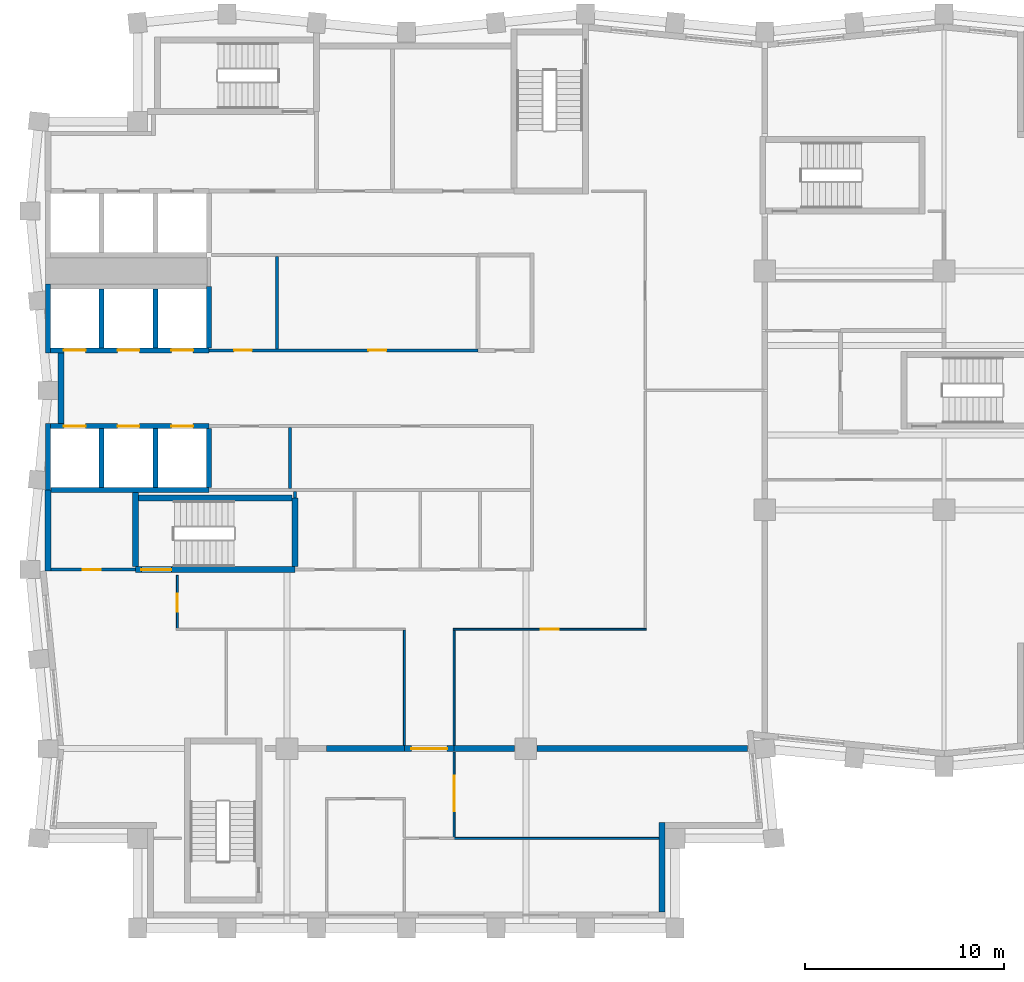
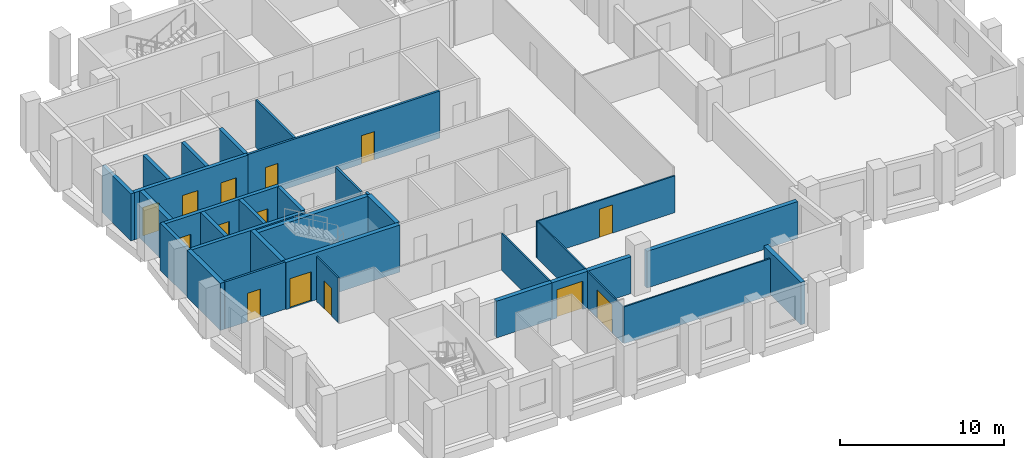
# One storey, part 3 of 8: 33 walls, 14 doors, 14 openings.
"""IFC4 building model written with IfcOpenShell, lengths in metres."""

from ifc_helpers import new_model, si_unit, direction, frame, frame_2d, origin, place, context, subcontext, project, spatial, rectangle, extrude, material, layer, layer_set, type_object, element, fill, save


model = new_model("IFC4")

# Units and contexts
model_context = context("Model", 3, precision=1e-05, world=origin(), true_north=direction((0.0, 1.0)))
body_context = subcontext(model_context, "Body", "Model", "MODEL_VIEW")
ifc_project = project(units=[si_unit("LENGTHUNIT", "METRE"), si_unit("AREAUNIT", "SQUARE_METRE"), si_unit("VOLUMEUNIT", "CUBIC_METRE"), si_unit("PLANEANGLEUNIT", "RADIAN"), si_unit("MASSUNIT", "GRAM", prefix="KILO")], contexts=[model_context])

# Site, building, storey
site_placement = place(None, origin())
site = spatial("IfcSite", under=ifc_project, at=site_placement, CompositionType="ELEMENT")
building_placement = place(site_placement, origin())
building = spatial("IfcBuilding", under=site, at=building_placement, Name="Brondeck Convention Tower", CompositionType="ELEMENT")
storey_placement = place(building_placement, frame((0.0, 0.0, 240.60009765625)))
storey = spatial("IfcBuildingStorey", under=building, at=storey_placement, Name="L59", CompositionType="ELEMENT", Elevation=240.60009765625)

# Wall
ifc_material_1 = material(Name="Concrete compartment wall C30/37", Category="concrete")
ifc_layer_1 = layer(ifc_material_1, 0.300048828125)
ifc_layer_set_1 = layer_set([ifc_layer_1], Name="Compartment wall 300")
wall_type_1 = type_object("IfcWallType", Name="Compartment wall 300", PredefinedType="PARTITIONING", material=ifc_layer_set_1)
wall_1_placement = place(storey_placement, frame((14.0, 27.0, 0.0), z_axis=(0.0, 0.0, 1.0), x_axis=(1.0, 0.0, 0.0)))
element("IfcWall", 1, at=wall_1_placement, inside=storey, type_object=wall_type_1, Name="FLR-L59-W015", PredefinedType="PARTITIONING", context=body_context, shape_type="SweptSolid", body=[
    extrude(rectangle(XDim=3.89990234375, YDim=0.300048828125, at=frame_2d((1.949951171875, 0.0))), origin(), (0.0, 0.0, 1.0), 2.72998046875),
])

# Wall, opening, door
wall_2_placement = place(storey_placement, frame((20.39990234375, 27.0, 0.0), z_axis=(0.0, 0.0, 1.0), x_axis=(-1.0, 0.0, 0.0)))
wall_2 = element("IfcWall", 2, at=wall_2_placement, inside=storey, type_object=wall_type_1, Name="FLR-L59-W016", PredefinedType="PARTITIONING", context=body_context, shape_type="SweptSolid", body=[
    extrude(rectangle(XDim=2.5, YDim=0.300048828125, at=frame_2d((1.25, 0.0))), origin(), (0.0, 0.0, 1.0), 2.72998046875),
])
opening_1_placement = place(wall_2_placement, frame((0.35009765625, 0.0, 0.0)))
opening_1 = element("IfcOpeningElement", 3, at=opening_1_placement, cuts=wall_2, Name="Opening OF-O-012", PredefinedType="OPENING", context=body_context, shape_type="SweptSolid", body=[
    extrude(rectangle(XDim=1.800048828125, YDim=2.10009765625, at=frame_2d((0.89990234375, 1.050048828125))), frame((0.0, 0.159912109375, 0.0), z_axis=(0.0, -1.0, 0.0), x_axis=(1.0, 0.0, 0.0)), (0.0, 0.0, 1.0), 0.320068359375),
])
ifc_material_2 = material(Name="Steel fire door pair", Category="steel")
door_type_1 = type_object("IfcDoorType", Name="Fire door pair 1800", OperationType="DOUBLE_DOOR_SINGLE_SWING", PredefinedType="DOOR", material=ifc_material_2)
door_1_placement = place(opening_1_placement, origin())
door_1 = element("IfcDoor", 4, at=door_1_placement, inside=storey, type_object=door_type_1, Name="Door OF-O-012", OperationType="DOUBLE_DOOR_SINGLE_SWING", OverallHeight=2.10009765625, OverallWidth=1.800048828125, PredefinedType="DOOR", context=body_context, shape_type="SweptSolid", body=[
    extrude(rectangle(XDim=1.800048828125, YDim=2.10009765625, at=frame_2d((0.89990234375, 1.050048828125))), frame((0.0, 0.02490234375, 0.0), z_axis=(0.0, -1.0, 0.0), x_axis=(1.0, 0.0, 0.0)), (0.0, 0.0, 1.0), 0.050048828125),
])
fill(opening_1, door_1)

# Walls
wall_3_placement = place(storey_placement, frame((20.39990234375, 27.0, 0.0), z_axis=(0.0, 0.0, 1.0), x_axis=(1.0, 0.0, 0.0)))
element("IfcWall", 5, at=wall_3_placement, inside=storey, type_object=wall_type_1, Name="FLR-L59-W017", PredefinedType="PARTITIONING", context=body_context, shape_type="SweptSolid", body=[
    extrude(rectangle(XDim=3.045166015625, YDim=0.300048828125, at=frame_2d((1.5224609375, 0.0))), origin(), (0.0, 0.0, 1.0), 2.72998046875),
])
wall_4_placement = place(storey_placement, frame((24.554931640625, 27.0, 0.0), z_axis=(0.0, 0.0, 1.0), x_axis=(1.0, 0.0, 0.0)))
element("IfcWall", 6, at=wall_4_placement, inside=storey, type_object=wall_type_1, Name="FLR-L59-W018", PredefinedType="PARTITIONING", context=body_context, shape_type="SweptSolid", body=[
    extrude(rectangle(XDim=10.591064453125, YDim=0.300048828125, at=frame_2d((5.29541015625, 0.0))), origin(), (0.0, 0.0, 1.0), 2.72998046875),
])
ifc_material_3 = material(Name="Concrete C50/60", Category="concrete")
ifc_layer_2 = layer(ifc_material_3, 0.300048828125)
ifc_layer_set_2 = layer_set([ifc_layer_2], Name="Core outer wall 300 Concrete C50/60")
wall_type_2 = type_object("IfcWallType", Name="Core outer wall 300 Concrete C50/60", PredefinedType="SHEAR", material=ifc_layer_set_2)
wall_5_placement = place(storey_placement, frame((0.0, 35.925048828125, 0.0), z_axis=(0.0, 0.0, 1.0), x_axis=(0.0, 1.0, 0.0)))
element("IfcWall", 7, at=wall_5_placement, inside=storey, type_object=wall_type_2, Name="L59 core wall", PredefinedType="SHEAR", context=body_context, shape_type="SweptSolid", body=[
    extrude(rectangle(XDim=4.074951171875, YDim=0.300048828125, at=frame_2d((2.03759765625, 0.0))), origin(), (0.0, 0.0, 1.0), 3.5),
])
wall_6_placement = place(storey_placement, frame((0.64990234375, 43.324951171875, 0.0), z_axis=(0.0, 0.0, 1.0), x_axis=(0.0, 1.0, 0.0)))
element("IfcWall", 8, at=wall_6_placement, inside=storey, type_object=wall_type_2, Name="L59 core wall", PredefinedType="SHEAR", context=body_context, shape_type="SweptSolid", body=[
    extrude(rectangle(XDim=3.550048828125, YDim=0.300048828125, at=frame_2d((1.77490234375, 0.0))), origin(), (0.0, 0.0, 1.0), 3.5),
])

# Wall, opening, door
ifc_material_4 = material(Name="Fire-rated gypsum board partition")
ifc_layer_3 = layer(ifc_material_4, 0.14990234375)
ifc_layer_set_3 = layer_set([ifc_layer_3], Name="Core partition 150 EI 60")
wall_type_3 = type_object("IfcWallType", Name="Core partition 150 EI 60", PredefinedType="PARTITIONING", material=ifc_layer_set_3)
wall_7_placement = place(storey_placement, frame((0.14990234375, 36.0, 0.0), z_axis=(0.0, 0.0, 1.0), x_axis=(1.0, 0.0, 0.0)))
wall_7 = element("IfcWall", 9, at=wall_7_placement, inside=storey, type_object=wall_type_3, Name="L59 core wall", PredefinedType="PARTITIONING", context=body_context, shape_type="SweptSolid", body=[
    extrude(rectangle(XDim=4.25, YDim=0.14990234375, at=frame_2d((2.125, 0.0))), origin(), (0.0, 0.0, 1.0), 3.5),
])
opening_2_placement = place(wall_7_placement, frame((1.60009765625, 0.0, 0.0)))
opening_2 = element("IfcOpeningElement", 10, at=opening_2_placement, cuts=wall_7, Name="Opening C32-07", PredefinedType="OPENING", context=body_context, shape_type="SweptSolid", body=[
    extrude(rectangle(XDim=0.89990234375, YDim=2.10009765625, at=frame_2d((0.449951171875, 1.050048828125))), frame((0.0, 0.0849609375, 0.0), z_axis=(0.0, -1.0, 0.0), x_axis=(1.0, 0.0, 0.0)), (0.0, 0.0, 1.0), 0.169921875),
])
ifc_material_5 = material(Name="Steel fire door", Category="steel")
door_type_2 = type_object("IfcDoorType", Name="Room door 900x2100 EI 60", OperationType="NOTDEFINED", PredefinedType="DOOR", material=ifc_material_5)
door_2_placement = place(opening_2_placement, origin())
door_2 = element("IfcDoor", 11, at=door_2_placement, inside=storey, type_object=door_type_2, Name="L59 Room door FRW-1", OperationType="SINGLE_SWING_LEFT", OverallHeight=2.10009765625, OverallWidth=0.89990234375, PredefinedType="DOOR", context=body_context, shape_type="SweptSolid", body=[
    extrude(rectangle(XDim=0.89990234375, YDim=2.10009765625, at=frame_2d((0.449951171875, 1.050048828125))), frame((0.0, 0.02490234375, 0.0), z_axis=(0.0, -1.0, 0.0), x_axis=(1.0, 0.0, 0.0)), (0.0, 0.0, 1.0), 0.050048828125),
])
fill(opening_2, door_2)

# Wall, openings, doors
wall_8_placement = place(storey_placement, frame((8.10009765625, 47.0, 0.0), z_axis=(0.0, 0.0, 1.0), x_axis=(1.0, 0.0, 0.0)))
wall_8 = element("IfcWall", 12, at=wall_8_placement, inside=storey, type_object=wall_type_3, Name="L59 core wall", PredefinedType="PARTITIONING", context=body_context, shape_type="SweptSolid", body=[
    extrude(rectangle(XDim=13.5, YDim=0.14990234375, at=frame_2d((6.75, 0.0))), origin(), (0.0, 0.0, 1.0), 3.5),
])
opening_3_placement = place(wall_8_placement, frame((1.25, 0.0, 0.0)))
opening_3 = element("IfcOpeningElement", 13, at=opening_3_placement, cuts=wall_8, Name="Opening C32-08", PredefinedType="OPENING", context=body_context, shape_type="SweptSolid", body=[
    extrude(rectangle(XDim=0.89990234375, YDim=2.10009765625, at=frame_2d((0.449951171875, 1.050048828125))), frame((0.0, 0.0849609375, 0.0), z_axis=(0.0, -1.0, 0.0), x_axis=(1.0, 0.0, 0.0)), (0.0, 0.0, 1.0), 0.169921875),
])
opening_4_placement = place(wall_8_placement, frame((8.0, 0.0, 0.0)))
opening_4 = element("IfcOpeningElement", 14, at=opening_4_placement, cuts=wall_8, Name="Opening C32-09", PredefinedType="OPENING", context=body_context, shape_type="SweptSolid", body=[
    extrude(rectangle(XDim=0.89990234375, YDim=2.10009765625, at=frame_2d((0.449951171875, 1.050048828125))), frame((0.0, 0.0849609375, 0.0), z_axis=(0.0, -1.0, 0.0), x_axis=(1.0, 0.0, 0.0)), (0.0, 0.0, 1.0), 0.169921875),
])
door_3_placement = place(opening_3_placement, origin())
door_3 = element("IfcDoor", 15, at=door_3_placement, inside=storey, type_object=door_type_2, Name="L59 Room door FZ-N-8.1-1", OperationType="SINGLE_SWING_LEFT", OverallHeight=2.10009765625, OverallWidth=0.89990234375, PredefinedType="DOOR", context=body_context, shape_type="SweptSolid", body=[
    extrude(rectangle(XDim=0.89990234375, YDim=2.10009765625, at=frame_2d((0.449951171875, 1.050048828125))), frame((0.0, 0.02490234375, 0.0), z_axis=(0.0, -1.0, 0.0), x_axis=(1.0, 0.0, 0.0)), (0.0, 0.0, 1.0), 0.050048828125),
])
fill(opening_3, door_3)
door_4_placement = place(opening_4_placement, origin())
door_4 = element("IfcDoor", 16, at=door_4_placement, inside=storey, type_object=door_type_2, Name="L59 Room door FZ-N-8.1-2", OperationType="SINGLE_SWING_RIGHT", OverallHeight=2.10009765625, OverallWidth=0.89990234375, PredefinedType="DOOR", context=body_context, shape_type="SweptSolid", body=[
    extrude(rectangle(XDim=0.89990234375, YDim=2.10009765625, at=frame_2d((0.449951171875, 1.050048828125))), frame((0.0, 0.02490234375, 0.0), z_axis=(0.0, -1.0, 0.0), x_axis=(1.0, 0.0, 0.0)), (0.0, 0.0, 1.0), 0.050048828125),
])
fill(opening_4, door_4)

# Walls
wall_9_placement = place(storey_placement, frame((11.5, 47.074951171875, 0.0), z_axis=(0.0, 0.0, 1.0), x_axis=(0.0, 1.0, 0.0)))
element("IfcWall", 17, at=wall_9_placement, inside=storey, type_object=wall_type_3, Name="L59 core wall", PredefinedType="PARTITIONING", context=body_context, shape_type="SweptSolid", body=[
    extrude(rectangle(XDim=4.650146484375, YDim=0.14990234375, at=frame_2d((2.3251953125, 0.0))), origin(), (0.0, 0.0, 1.0), 3.5),
])
wall_10_placement = place(storey_placement, frame((12.14990234375, 40.074951171875, 0.0), z_axis=(0.0, 0.0, 1.0), x_axis=(0.0, 1.0, 0.0)))
element("IfcWall", 18, at=wall_10_placement, inside=storey, type_object=wall_type_3, Name="L59 core wall", PredefinedType="PARTITIONING", context=body_context, shape_type="SweptSolid", body=[
    extrude(rectangle(XDim=3.050048828125, YDim=0.14990234375, at=frame_2d((1.52490234375, 0.0))), origin(), (0.0, 0.0, 1.0), 3.5),
])
wall_11_placement = place(storey_placement, frame((12.39990234375, 39.60009765625, 0.0), z_axis=(0.0, 0.0, 1.0), x_axis=(0.0, 1.0, 0.0)))
element("IfcWall", 19, at=wall_11_placement, inside=storey, type_object=wall_type_3, Name="L59 core wall", PredefinedType="PARTITIONING", context=body_context, shape_type="SweptSolid", body=[
    extrude(rectangle(XDim=0.324951171875, YDim=0.14990234375, at=frame_2d((0.16259765625, 0.0))), origin(), (0.0, 0.0, 1.0), 3.5),
])
ifc_material_6 = material(Name="Precast concrete C50/60 bronze finish", Category="concrete")
ifc_layer_4 = layer(ifc_material_6, 0.070068359375, Name="Bronze precast facing")
ifc_material_7 = material(Name="Mineral wool")
ifc_layer_5 = layer(ifc_material_7, 0.159912109375, Name="Insulation")
ifc_material_8 = material(Name="Concrete C35/45", Category="concrete")
ifc_layer_6 = layer(ifc_material_8, 0.070068359375, Name="Backing")
ifc_layer_set_4 = layer_set([ifc_layer_4, ifc_layer_5, ifc_layer_6], Name="External infill wall, precast concrete C50/60 bronze facing")
wall_type_4 = type_object("IfcWallType", Name="External infill wall, precast concrete C50/60 bronze facing", PredefinedType="SOLIDWALL", material=ifc_layer_set_4)
wall_12_placement = place(storey_placement, frame((30.85009765625, 23.300048828125, 0.0), z_axis=(0.0, 0.0, 1.0), x_axis=(0.0, -1.0, 0.0)))
element("IfcWall", 20, at=wall_12_placement, inside=storey, type_object=wall_type_4, Name="ENV-EW-L59-P2-NC-SEB18-01", PredefinedType="SOLIDWALL", context=body_context, shape_type="SweptSolid", body=[
    extrude(rectangle(XDim=4.5, YDim=0.300048828125, at=frame_2d((2.25, 0.0))), origin(), (0.0, 0.0, 1.0), 3.14990234375),
])
ifc_layer_7 = layer(ifc_material_3, 0.25)
ifc_layer_set_5 = layer_set([ifc_layer_7], Name="Lift shaft wall 250 Concrete C50/60")
wall_type_5 = type_object("IfcWallType", Name="Lift shaft wall 250 Concrete C50/60", PredefinedType="SHEAR", material=ifc_layer_set_5)
wall_13_placement = place(storey_placement, frame((0.14990234375, 40.0, 0.0), z_axis=(0.0, 0.0, 1.0), x_axis=(1.0, 0.0, 0.0)))
element("IfcWall", 21, at=wall_13_placement, inside=storey, type_object=wall_type_5, Name="L59 core wall", PredefinedType="SHEAR", context=body_context, shape_type="SweptSolid", body=[
    extrude(rectangle(XDim=7.9501953125, YDim=0.25, at=frame_2d((3.97509765625, 0.0))), origin(), (0.0, 0.0, 1.0), 3.5),
])

# Wall, openings, doors
wall_14_placement = place(storey_placement, frame((0.125, 43.199951171875, 0.0), z_axis=(0.0, 0.0, 1.0), x_axis=(1.0, 0.0, 0.0)))
wall_14 = element("IfcWall", 22, at=wall_14_placement, inside=storey, type_object=wall_type_5, Name="L59 core wall", PredefinedType="SHEAR", context=body_context, shape_type="SweptSolid", body=[
    extrude(rectangle(XDim=7.97509765625, YDim=0.25, at=frame_2d((3.987548828125, 0.0))), origin(), (0.0, 0.0, 1.0), 3.5),
])
opening_5_placement = place(wall_14_placement, frame((0.675048828125, 0.0, 0.0)))
opening_5 = element("IfcOpeningElement", 23, at=opening_5_placement, cuts=wall_14, Name="Opening C32-23", PredefinedType="OPENING", context=body_context, shape_type="SweptSolid", body=[
    extrude(rectangle(XDim=1.10009765625, YDim=2.10009765625, at=frame_2d((0.550048828125, 1.050048828125))), frame((0.0, 0.135009765625, 0.0), z_axis=(0.0, -1.0, 0.0), x_axis=(1.0, 0.0, 0.0)), (0.0, 0.0, 1.0), 0.27001953125),
])
opening_6_placement = place(wall_14_placement, frame((3.375, 0.0, 0.0)))
opening_6 = element("IfcOpeningElement", 24, at=opening_6_placement, cuts=wall_14, Name="Opening C32-24", PredefinedType="OPENING", context=body_context, shape_type="SweptSolid", body=[
    extrude(rectangle(XDim=1.10009765625, YDim=2.10009765625, at=frame_2d((0.550048828125, 1.050048828125))), frame((0.0, 0.135009765625, 0.0), z_axis=(0.0, -1.0, 0.0), x_axis=(1.0, 0.0, 0.0)), (0.0, 0.0, 1.0), 0.27001953125),
])
opening_7_placement = place(wall_14_placement, frame((6.074951171875, 0.0, 0.0)))
opening_7 = element("IfcOpeningElement", 25, at=opening_7_placement, cuts=wall_14, Name="Opening C32-25", PredefinedType="OPENING", context=body_context, shape_type="SweptSolid", body=[
    extrude(rectangle(XDim=1.10009765625, YDim=2.10009765625, at=frame_2d((0.550048828125, 1.050048828125))), frame((0.0, 0.135009765625, 0.0), z_axis=(0.0, -1.0, 0.0), x_axis=(1.0, 0.0, 0.0)), (0.0, 0.0, 1.0), 0.27001953125),
])
ifc_material_9 = material(Name="Stainless steel lift door", Category="steel")
door_type_3 = type_object("IfcDoorType", Name="Lift landing door 1100x2100 EI 180", OperationType="DOUBLE_DOOR_SLIDING", PredefinedType="DOOR", material=ifc_material_9)
door_5_placement = place(opening_5_placement, origin())
door_5 = element("IfcDoor", 26, at=door_5_placement, inside=storey, type_object=door_type_3, Name="L59 Lift landing door HR1", OperationType="DOUBLE_DOOR_SLIDING", OverallHeight=2.10009765625, OverallWidth=1.10009765625, PredefinedType="DOOR", context=body_context, shape_type="SweptSolid", body=[
    extrude(rectangle(XDim=1.10009765625, YDim=2.10009765625, at=frame_2d((0.550048828125, 1.050048828125))), frame((0.0, 0.02490234375, 0.0), z_axis=(0.0, -1.0, 0.0), x_axis=(1.0, 0.0, 0.0)), (0.0, 0.0, 1.0), 0.050048828125),
])
fill(opening_5, door_5)
door_6_placement = place(opening_6_placement, origin())
door_6 = element("IfcDoor", 27, at=door_6_placement, inside=storey, type_object=door_type_3, Name="L59 Lift landing door HR2", OperationType="DOUBLE_DOOR_SLIDING", OverallHeight=2.10009765625, OverallWidth=1.10009765625, PredefinedType="DOOR", context=body_context, shape_type="SweptSolid", body=[
    extrude(rectangle(XDim=1.10009765625, YDim=2.10009765625, at=frame_2d((0.550048828125, 1.050048828125))), frame((0.0, 0.02490234375, 0.0), z_axis=(0.0, -1.0, 0.0), x_axis=(1.0, 0.0, 0.0)), (0.0, 0.0, 1.0), 0.050048828125),
])
fill(opening_6, door_6)
door_7_placement = place(opening_7_placement, origin())
door_7 = element("IfcDoor", 28, at=door_7_placement, inside=storey, type_object=door_type_3, Name="L59 Lift landing door HR3", OperationType="DOUBLE_DOOR_SLIDING", OverallHeight=2.10009765625, OverallWidth=1.10009765625, PredefinedType="DOOR", context=body_context, shape_type="SweptSolid", body=[
    extrude(rectangle(XDim=1.10009765625, YDim=2.10009765625, at=frame_2d((0.550048828125, 1.050048828125))), frame((0.0, 0.02490234375, 0.0), z_axis=(0.0, -1.0, 0.0), x_axis=(1.0, 0.0, 0.0)), (0.0, 0.0, 1.0), 0.050048828125),
])
fill(opening_7, door_7)

wall_15_placement = place(storey_placement, frame((0.125, 47.0, 0.0), z_axis=(0.0, 0.0, 1.0), x_axis=(1.0, 0.0, 0.0)))
wall_15 = element("IfcWall", 29, at=wall_15_placement, inside=storey, type_object=wall_type_5, Name="L59 core wall", PredefinedType="SHEAR", context=body_context, shape_type="SweptSolid", body=[
    extrude(rectangle(XDim=7.97509765625, YDim=0.25, at=frame_2d((3.987548828125, 0.0))), origin(), (0.0, 0.0, 1.0), 3.5),
])
opening_8_placement = place(wall_15_placement, frame((0.675048828125, 0.0, 0.0)))
opening_8 = element("IfcOpeningElement", 30, at=opening_8_placement, cuts=wall_15, Name="Opening C32-26", PredefinedType="OPENING", context=body_context, shape_type="SweptSolid", body=[
    extrude(rectangle(XDim=1.10009765625, YDim=2.10009765625, at=frame_2d((0.550048828125, 1.050048828125))), frame((0.0, 0.135009765625, 0.0), z_axis=(0.0, -1.0, 0.0), x_axis=(1.0, 0.0, 0.0)), (0.0, 0.0, 1.0), 0.27001953125),
])
opening_9_placement = place(wall_15_placement, frame((3.375, 0.0, 0.0)))
opening_9 = element("IfcOpeningElement", 31, at=opening_9_placement, cuts=wall_15, Name="Opening C32-27", PredefinedType="OPENING", context=body_context, shape_type="SweptSolid", body=[
    extrude(rectangle(XDim=1.10009765625, YDim=2.10009765625, at=frame_2d((0.550048828125, 1.050048828125))), frame((0.0, 0.135009765625, 0.0), z_axis=(0.0, -1.0, 0.0), x_axis=(1.0, 0.0, 0.0)), (0.0, 0.0, 1.0), 0.27001953125),
])
opening_10_placement = place(wall_15_placement, frame((6.074951171875, 0.0, 0.0)))
opening_10 = element("IfcOpeningElement", 32, at=opening_10_placement, cuts=wall_15, Name="Opening C32-28", PredefinedType="OPENING", context=body_context, shape_type="SweptSolid", body=[
    extrude(rectangle(XDim=1.10009765625, YDim=2.10009765625, at=frame_2d((0.550048828125, 1.050048828125))), frame((0.0, 0.135009765625, 0.0), z_axis=(0.0, -1.0, 0.0), x_axis=(1.0, 0.0, 0.0)), (0.0, 0.0, 1.0), 0.27001953125),
])
door_8_placement = place(opening_8_placement, origin())
door_8 = element("IfcDoor", 33, at=door_8_placement, inside=storey, type_object=door_type_3, Name="L59 Lift landing door HR4", OperationType="DOUBLE_DOOR_SLIDING", OverallHeight=2.10009765625, OverallWidth=1.10009765625, PredefinedType="DOOR", context=body_context, shape_type="SweptSolid", body=[
    extrude(rectangle(XDim=1.10009765625, YDim=2.10009765625, at=frame_2d((0.550048828125, 1.050048828125))), frame((0.0, 0.02490234375, 0.0), z_axis=(0.0, -1.0, 0.0), x_axis=(1.0, 0.0, 0.0)), (0.0, 0.0, 1.0), 0.050048828125),
])
fill(opening_8, door_8)
door_9_placement = place(opening_9_placement, origin())
door_9 = element("IfcDoor", 34, at=door_9_placement, inside=storey, type_object=door_type_3, Name="L59 Lift landing door HR5", OperationType="DOUBLE_DOOR_SLIDING", OverallHeight=2.10009765625, OverallWidth=1.10009765625, PredefinedType="DOOR", context=body_context, shape_type="SweptSolid", body=[
    extrude(rectangle(XDim=1.10009765625, YDim=2.10009765625, at=frame_2d((0.550048828125, 1.050048828125))), frame((0.0, 0.02490234375, 0.0), z_axis=(0.0, -1.0, 0.0), x_axis=(1.0, 0.0, 0.0)), (0.0, 0.0, 1.0), 0.050048828125),
])
fill(opening_9, door_9)
door_10_placement = place(opening_10_placement, origin())
door_10 = element("IfcDoor", 35, at=door_10_placement, inside=storey, type_object=door_type_3, Name="L59 Lift landing door HR6", OperationType="DOUBLE_DOOR_SLIDING", OverallHeight=2.10009765625, OverallWidth=1.10009765625, PredefinedType="DOOR", context=body_context, shape_type="SweptSolid", body=[
    extrude(rectangle(XDim=1.10009765625, YDim=2.10009765625, at=frame_2d((0.550048828125, 1.050048828125))), frame((0.0, 0.02490234375, 0.0), z_axis=(0.0, -1.0, 0.0), x_axis=(1.0, 0.0, 0.0)), (0.0, 0.0, 1.0), 0.050048828125),
])
fill(opening_10, door_10)

# Walls
wall_16_placement = place(storey_placement, frame((0.0, 40.0, 0.0), z_axis=(0.0, 0.0, 1.0), x_axis=(0.0, 1.0, 0.0)))
element("IfcWall", 36, at=wall_16_placement, inside=storey, type_object=wall_type_5, Name="L59 core wall", PredefinedType="SHEAR", context=body_context, shape_type="SweptSolid", body=[
    extrude(rectangle(XDim=3.324951171875, YDim=0.25, at=frame_2d((1.66259765625, 0.0))), origin(), (0.0, 0.0, 1.0), 3.5),
])
wall_17_placement = place(storey_placement, frame((0.0, 46.875, 0.0), z_axis=(0.0, 0.0, 1.0), x_axis=(0.0, 1.0, 0.0)))
element("IfcWall", 37, at=wall_17_placement, inside=storey, type_object=wall_type_5, Name="L59 core wall", PredefinedType="SHEAR", context=body_context, shape_type="SweptSolid", body=[
    extrude(rectangle(XDim=3.47509765625, YDim=0.25, at=frame_2d((1.737548828125, 0.0))), origin(), (0.0, 0.0, 1.0), 3.5),
])
for number, where, z_axis, x_axis, name in (
    (38, (2.699951171875, 40.125, 0.0), (0.0, 0.0, 1.0), (0.0, 1.0, 0.0), "L59 core wall"),
    (39, (2.699951171875, 47.125, 0.0), (0.0, 0.0, 1.0), (0.0, 1.0, 0.0), "L59 core wall"),
    (40, (5.39990234375, 40.125, 0.0), (0.0, 0.0, 1.0), (0.0, 1.0, 0.0), "L59 core wall"),
    (41, (5.39990234375, 47.125, 0.0), (0.0, 0.0, 1.0), (0.0, 1.0, 0.0), "L59 core wall"),
    (42, (8.10009765625, 40.125, 0.0), (0.0, 0.0, 1.0), (0.0, 1.0, 0.0), "L59 core wall"),
):
    element("IfcWall", number, at=place(storey_placement, frame(where, z_axis=z_axis, x_axis=x_axis)), inside=storey, type_object=wall_type_5, Name=name, PredefinedType="SHEAR", context=body_context, shape_type="SweptSolid", body=[
        extrude(rectangle(XDim=2.949951171875, YDim=0.25, at=frame_2d((1.47509765625, 0.0))), origin(), (0.0, 0.0, 1.0), 3.5),
    ])
wall_18_placement = place(storey_placement, frame((8.10009765625, 47.125, 0.0), z_axis=(0.0, 0.0, 1.0), x_axis=(0.0, 1.0, 0.0)))
element("IfcWall", 43, at=wall_18_placement, inside=storey, type_object=wall_type_5, Name="L59 core wall", PredefinedType="SHEAR", context=body_context, shape_type="SweptSolid", body=[
    extrude(rectangle(XDim=3.074951171875, YDim=0.25, at=frame_2d((1.53759765625, 0.0))), origin(), (0.0, 0.0, 1.0), 3.5),
])
ifc_material_10 = material(Name="Gypsum board partition on steel studs", Category="steel")
ifc_layer_8 = layer(ifc_material_10, 0.10009765625)
ifc_layer_set_6 = layer_set([ifc_layer_8], Name="Room partition 100")
wall_type_6 = type_object("IfcWallType", Name="Room partition 100", PredefinedType="PARTITIONING", material=ifc_layer_set_6)
wall_19_placement = place(storey_placement, frame((20.39990234375, 22.5, 0.0), z_axis=(0.0, 0.0, 1.0), x_axis=(1.0, 0.0, 0.0)))
element("IfcWall", 44, at=wall_19_placement, inside=storey, type_object=wall_type_6, Name="FLR-L59-W004", PredefinedType="PARTITIONING", context=body_context, shape_type="SweptSolid", body=[
    extrude(rectangle(XDim=10.280029296875, YDim=0.10009765625, at=frame_2d((5.14013671875, 0.0))), origin(), (0.0, 0.0, 1.0), 2.72998046875),
])

# Wall, opening, door
wall_20_placement = place(storey_placement, frame((20.39990234375, 26.830078125, 0.0), z_axis=(0.0, 0.0, 1.0), x_axis=(0.0, -1.0, 0.0)))
wall_20 = element("IfcWall", 45, at=wall_20_placement, inside=storey, type_object=wall_type_6, Name="FLR-L59-W011", PredefinedType="PARTITIONING", context=body_context, shape_type="SweptSolid", body=[
    extrude(rectangle(XDim=4.280029296875, YDim=0.10009765625, at=frame_2d((2.14013671875, 0.0))), origin(), (0.0, 0.0, 1.0), 2.72998046875),
])
opening_11_placement = place(wall_20_placement, frame((1.179931640625, 0.0, 0.0)))
opening_11 = element("IfcOpeningElement", 46, at=opening_11_placement, cuts=wall_20, Name="Opening OF-O-007", PredefinedType="OPENING", context=body_context, shape_type="SweptSolid", body=[
    extrude(rectangle(XDim=1.800048828125, YDim=2.10009765625, at=frame_2d((0.89990234375, 1.050048828125))), frame((0.0, 0.06005859375, 0.0), z_axis=(0.0, -1.0, 0.0), x_axis=(1.0, 0.0, 0.0)), (0.0, 0.0, 1.0), 0.1201171875),
])
ifc_material_11 = material(Name="Glazed timber double door", Category="wood")
door_type_4 = type_object("IfcDoorType", Name="Double door 1800", OperationType="DOUBLE_DOOR_SINGLE_SWING", PredefinedType="DOOR", material=ifc_material_11)
door_11_placement = place(opening_11_placement, origin())
door_11 = element("IfcDoor", 47, at=door_11_placement, inside=storey, type_object=door_type_4, Name="Door OF-O-007", OperationType="DOUBLE_DOOR_SINGLE_SWING", OverallHeight=2.10009765625, OverallWidth=1.800048828125, PredefinedType="DOOR", context=body_context, shape_type="SweptSolid", body=[
    extrude(rectangle(XDim=1.800048828125, YDim=2.10009765625, at=frame_2d((0.89990234375, 1.050048828125))), frame((0.0, 0.02490234375, 0.0), z_axis=(0.0, -1.0, 0.0), x_axis=(1.0, 0.0, 0.0)), (0.0, 0.0, 1.0), 0.050048828125),
])
fill(opening_11, door_11)

# Walls
for number, where, z_axis, x_axis, name in (
    (48, (17.89990234375, 27.169921875, 0.0), (0.0, 0.0, 1.0), (0.0, 1.0, 0.0), "FLR-L59-W019"),
    (49, (20.39990234375, 32.949951171875, 0.0), (0.0, 0.0, 1.0), (0.0, -1.0, 0.0), "FLR-L59-W025"),
):
    element("IfcWall", number, at=place(storey_placement, frame(where, z_axis=z_axis, x_axis=x_axis)), inside=storey, type_object=wall_type_6, Name=name, PredefinedType="PARTITIONING", context=body_context, shape_type="SweptSolid", body=[
        extrude(rectangle(XDim=5.780029296875, YDim=0.10009765625, at=frame_2d((2.89013671875, 0.0))), origin(), (0.0, 0.0, 1.0), 2.72998046875),
    ])

# Wall, opening, door
wall_21_placement = place(storey_placement, frame((30.050048828125, 33.0, 0.0), z_axis=(0.0, 0.0, 1.0), x_axis=(-1.0, 0.0, 0.0)))
wall_21 = element("IfcWall", 50, at=wall_21_placement, inside=storey, type_object=wall_type_6, Name="FLR-L59-W028", PredefinedType="PARTITIONING", context=body_context, shape_type="SweptSolid", body=[
    extrude(rectangle(XDim=9.699951171875, YDim=0.10009765625, at=frame_2d((4.85009765625, 0.0))), origin(), (0.0, 0.0, 1.0), 2.72998046875),
])
opening_12_placement = place(wall_21_placement, frame((4.39990234375, 0.0, 0.0)))
opening_12 = element("IfcOpeningElement", 51, at=opening_12_placement, cuts=wall_21, Name="Opening OF-O-010", PredefinedType="OPENING", context=body_context, shape_type="SweptSolid", body=[
    extrude(rectangle(XDim=0.89990234375, YDim=2.10009765625, at=frame_2d((0.449951171875, 1.050048828125))), frame((0.0, 0.06005859375, 0.0), z_axis=(0.0, -1.0, 0.0), x_axis=(1.0, 0.0, 0.0)), (0.0, 0.0, 1.0), 0.1201171875),
])
ifc_material_12 = material(Name="Solid timber door leaf", Category="wood")
door_type_5 = type_object("IfcDoorType", Name="Single door 900", OperationType="NOTDEFINED", PredefinedType="DOOR", material=ifc_material_12)
door_12_placement = place(opening_12_placement, origin())
door_12 = element("IfcDoor", 52, at=door_12_placement, inside=storey, type_object=door_type_5, Name="Door OF-O-010", OperationType="SINGLE_SWING_LEFT", OverallHeight=2.10009765625, OverallWidth=0.89990234375, PredefinedType="DOOR", context=body_context, shape_type="SweptSolid", body=[
    extrude(rectangle(XDim=0.89990234375, YDim=2.10009765625, at=frame_2d((0.449951171875, 1.050048828125))), frame((0.0, 0.02490234375, 0.0), z_axis=(0.0, -1.0, 0.0), x_axis=(1.0, 0.0, 0.0)), (0.0, 0.0, 1.0), 0.050048828125),
])
fill(opening_12, door_12)

wall_22_placement = place(storey_placement, frame((6.5, 33.050048828125, 0.0), z_axis=(0.0, 0.0, 1.0), x_axis=(0.0, 1.0, 0.0)))
wall_22 = element("IfcWall", 53, at=wall_22_placement, inside=storey, type_object=wall_type_6, Name="FLR-L59-W029", PredefinedType="PARTITIONING", context=body_context, shape_type="SweptSolid", body=[
    extrude(rectangle(XDim=2.64990234375, YDim=0.10009765625, at=frame_2d((1.324951171875, 0.0))), origin(), (0.0, 0.0, 1.0), 3.329833984375),
])
opening_13_placement = place(wall_22_placement, frame((0.824951171875, 0.0, 0.0)))
opening_13 = element("IfcOpeningElement", 54, at=opening_13_placement, cuts=wall_22, Name="Opening OF-O-008", PredefinedType="OPENING", context=body_context, shape_type="SweptSolid", body=[
    extrude(rectangle(XDim=0.89990234375, YDim=2.10009765625, at=frame_2d((0.449951171875, 1.050048828125))), frame((0.0, 0.06005859375, 0.0), z_axis=(0.0, -1.0, 0.0), x_axis=(1.0, 0.0, 0.0)), (0.0, 0.0, 1.0), 0.1201171875),
])
door_13_placement = place(opening_13_placement, origin())
door_13 = element("IfcDoor", 55, at=door_13_placement, inside=storey, type_object=door_type_5, Name="Door OF-O-008", OperationType="SINGLE_SWING_LEFT", OverallHeight=2.10009765625, OverallWidth=0.89990234375, PredefinedType="DOOR", context=body_context, shape_type="SweptSolid", body=[
    extrude(rectangle(XDim=0.89990234375, YDim=2.10009765625, at=frame_2d((0.449951171875, 1.050048828125))), frame((0.0, 0.02490234375, 0.0), z_axis=(0.0, -1.0, 0.0), x_axis=(1.0, 0.0, 0.0)), (0.0, 0.0, 1.0), 0.050048828125),
])
fill(opening_13, door_13)

ifc_layer_9 = layer(ifc_material_3, 0.300048828125)
ifc_layer_set_7 = layer_set([ifc_layer_9], Name="Stair enclosure wall 300 Concrete C50/60")
wall_type_7 = type_object("IfcWallType", Name="Stair enclosure wall 300 Concrete C50/60", PredefinedType="SHEAR", material=ifc_layer_set_7)
wall_23_placement = place(storey_placement, frame((4.39990234375, 36.0, 0.0), z_axis=(0.0, 0.0, 1.0), x_axis=(1.0, 0.0, 0.0)))
wall_23 = element("IfcWall", 56, at=wall_23_placement, inside=storey, type_object=wall_type_7, Name="L59 core wall", PredefinedType="SHEAR", context=body_context, shape_type="SweptSolid", body=[
    extrude(rectangle(XDim=8.0, YDim=0.300048828125, at=frame_2d((4.0, 0.0))), origin(), (0.0, 0.0, 1.0), 3.5),
])
opening_14_placement = place(wall_23_placement, frame((0.300048828125, 0.0, 0.0)))
opening_14 = element("IfcOpeningElement", 57, at=opening_14_placement, cuts=wall_23, Name="Opening C32-14", PredefinedType="OPENING", context=body_context, shape_type="SweptSolid", body=[
    extrude(rectangle(XDim=1.5, YDim=2.199951171875, at=frame_2d((0.75, 1.10009765625))), frame((0.0, 0.159912109375, 0.0), z_axis=(0.0, -1.0, 0.0), x_axis=(1.0, 0.0, 0.0)), (0.0, 0.0, 1.0), 0.320068359375),
])
door_type_6 = type_object("IfcDoorType", Name="Stair door 1500x2200 EI 90", OperationType="NOTDEFINED", PredefinedType="DOOR", material=ifc_material_5)
door_14_placement = place(opening_14_placement, origin())
door_14 = element("IfcDoor", 58, at=door_14_placement, inside=storey, type_object=door_type_6, Name="L59 Stair door ST-1", OperationType="SINGLE_SWING_RIGHT", OverallHeight=2.199951171875, OverallWidth=1.5, PredefinedType="DOOR", context=body_context, shape_type="SweptSolid", body=[
    extrude(rectangle(XDim=1.5, YDim=2.199951171875, at=frame_2d((0.75, 1.10009765625))), frame((0.0, 0.02490234375, 0.0), z_axis=(0.0, -1.0, 0.0), x_axis=(1.0, 0.0, 0.0)), (0.0, 0.0, 1.0), 0.050048828125),
])
fill(opening_14, door_14)

# Walls
wall_24_placement = place(storey_placement, frame((4.550048828125, 39.60009765625, 0.0), z_axis=(0.0, 0.0, 1.0), x_axis=(1.0, 0.0, 0.0)))
element("IfcWall", 59, at=wall_24_placement, inside=storey, type_object=wall_type_7, Name="L59 core wall", PredefinedType="SHEAR", context=body_context, shape_type="SweptSolid", body=[
    extrude(rectangle(XDim=7.699951171875, YDim=0.300048828125, at=frame_2d((3.85009765625, 0.0))), origin(), (0.0, 0.0, 1.0), 3.5),
])
wall_25_placement = place(storey_placement, frame((4.39990234375, 36.14990234375, 0.0), z_axis=(0.0, 0.0, 1.0), x_axis=(0.0, 1.0, 0.0)))
element("IfcWall", 60, at=wall_25_placement, inside=storey, type_object=wall_type_7, Name="L59 core wall", PredefinedType="SHEAR", context=body_context, shape_type="SweptSolid", body=[
    extrude(rectangle(XDim=3.72509765625, YDim=0.300048828125, at=frame_2d((1.862548828125, 0.0))), origin(), (0.0, 0.0, 1.0), 3.5),
])
wall_26_placement = place(storey_placement, frame((12.39990234375, 36.14990234375, 0.0), z_axis=(0.0, 0.0, 1.0), x_axis=(0.0, 1.0, 0.0)))
element("IfcWall", 61, at=wall_26_placement, inside=storey, type_object=wall_type_7, Name="L59 core wall", PredefinedType="SHEAR", context=body_context, shape_type="SweptSolid", body=[
    extrude(rectangle(XDim=3.4501953125, YDim=0.300048828125, at=frame_2d((1.72509765625, 0.0))), origin(), (0.0, 0.0, 1.0), 3.5),
])

save(model, "model.ifc")
